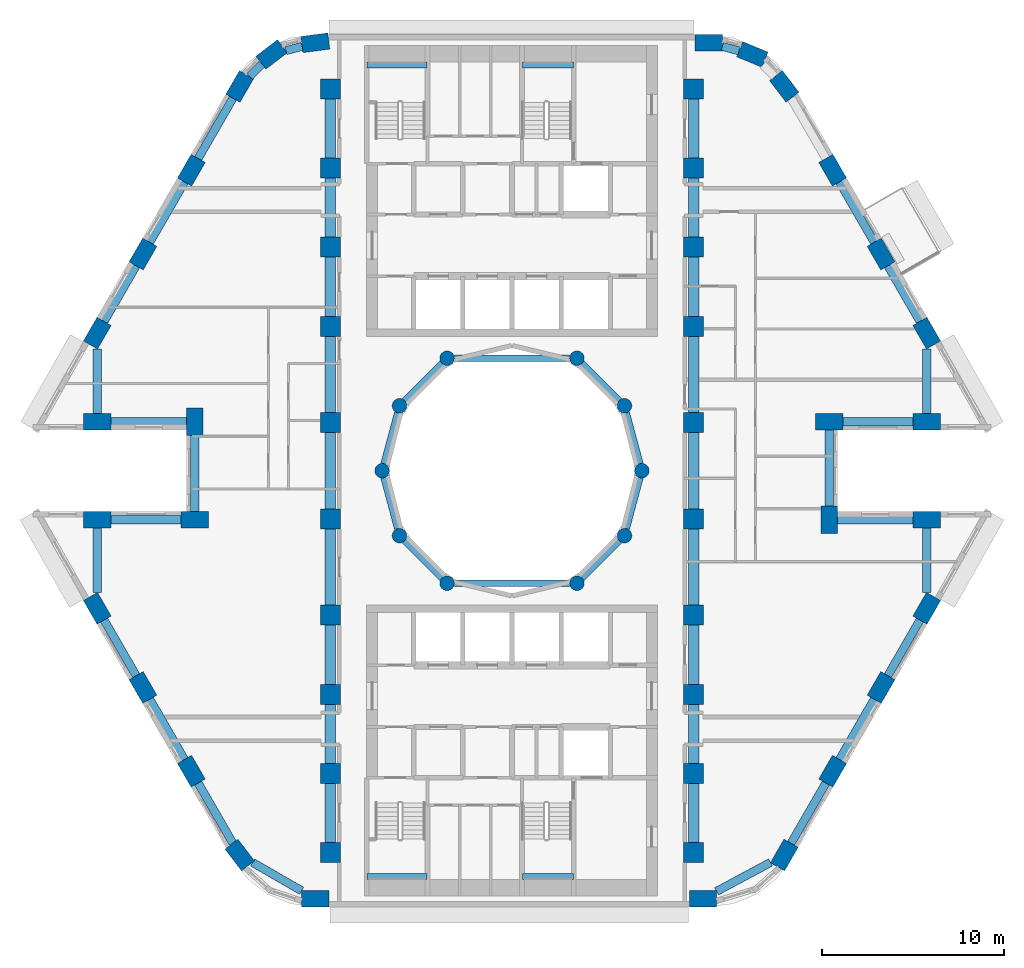
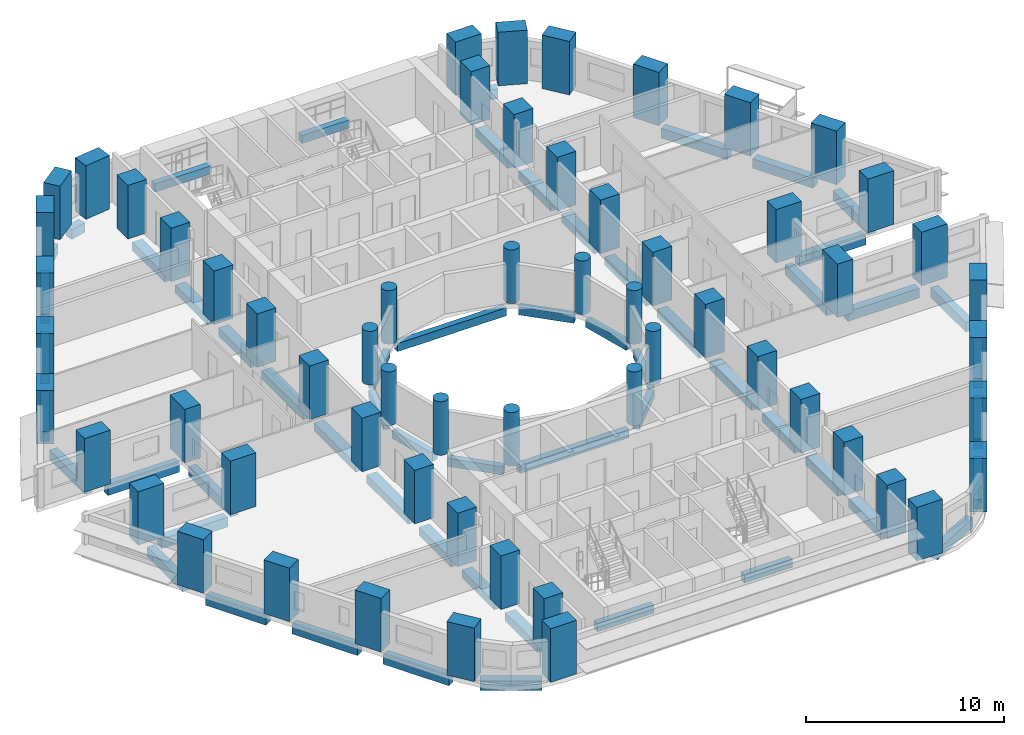
# One storey, part 1 of 13: 60 columns, 58 beams.
"""IFC4 building model written with IfcOpenShell, lengths in metres."""

from ifc_helpers import new_model, si_unit, direction, frame, origin, origin_2d, place, context, subcontext, project, spatial, rectangle, circle, extrude, material, material_profile, profile_set, type_object, element, save


model = new_model("IFC4")

# Units and contexts
model_context = context("Model", 3, precision=1e-05, world=origin(), true_north=direction((0.0, 1.0)))
body_context = subcontext(model_context, "Body", "Model", "MODEL_VIEW")
ifc_project = project(units=[si_unit("LENGTHUNIT", "METRE"), si_unit("AREAUNIT", "SQUARE_METRE"), si_unit("VOLUMEUNIT", "CUBIC_METRE"), si_unit("PLANEANGLEUNIT", "RADIAN"), si_unit("MASSUNIT", "GRAM", prefix="KILO")], contexts=[model_context])

# Site, building, storey
site_placement = place(None, origin())
site = spatial("IfcSite", under=ifc_project, at=site_placement, CompositionType="ELEMENT")
building_placement = place(site_placement, origin())
building = spatial("IfcBuilding", under=site, at=building_placement, Name="Nakaniwa Court", CompositionType="ELEMENT")
storey_placement = place(building_placement, frame((0.0, 0.0, 64.5)))
storey = spatial("IfcBuildingStorey", under=building, at=storey_placement, Name="L17", CompositionType="ELEMENT", Elevation=64.5)

# Columns
ifc_material_1 = material(Name="Concrete C100/115", Category="concrete")
ifc_material_profile_1 = material_profile(ifc_material_1, rectangle(XDim=1.10009765625, YDim=1.10009765625, at=origin_2d()), Name="Concrete C100/115 RC 1100x1100 spine column")
ifc_profile_set_1 = profile_set([ifc_material_profile_1], Name="Concrete C100/115")
column_type_1 = type_object("IfcColumnType", Name="Concrete C100/115 RC 1100x1100 spine column", PredefinedType="COLUMN", material=ifc_profile_set_1)
for number, where, z_axis, x_axis, name in (
    (1, (90.0, 59.0, 0.0), (0.0, 0.0, 1.0), (0.0, 1.0, 0.0), "COLUMN CS-01"),
    (2, (90.0, 63.35009765625, 0.0), (0.0, 0.0, 1.0), (0.0, 1.0, 0.0), "COLUMN CS-02"),
    (3, (90.0, 67.699951171875, 0.0), (0.0, 0.0, 1.0), (0.0, 1.0, 0.0), "COLUMN CS-03"),
    (4, (90.0, 72.050048828125, 0.0), (0.0, 0.0, 1.0), (0.0, 1.0, 0.0), "COLUMN CS-04"),
    (5, (90.0, 77.35009765625, 0.0), (0.0, 0.0, 1.0), (0.0, 1.0, 0.0), "COLUMN CS-05"),
    (6, (90.0, 82.64990234375, 0.0), (0.0, 0.0, 1.0), (0.0, 1.0, 0.0), "COLUMN CS-06"),
    (7, (90.0, 87.949951171875, 0.0), (0.0, 0.0, 1.0), (0.0, 1.0, 0.0), "COLUMN CS-07"),
    (8, (90.0, 92.300048828125, 0.0), (0.0, 0.0, 1.0), (0.0, 1.0, 0.0), "COLUMN CS-08"),
    (9, (90.0, 96.64990234375, 0.0), (0.0, 0.0, 1.0), (0.0, 1.0, 0.0), "COLUMN CS-09"),
    (10, (90.0, 101.0, 0.0), (0.0, 0.0, 1.0), (0.0, 1.0, 0.0), "COLUMN CS-10"),
    (11, (70.0, 101.0, 0.0), (0.0, 0.0, 1.0), (0.0, -1.0, 0.0), "COLUMN CS-11"),
    (12, (70.0, 96.64990234375, 0.0), (0.0, 0.0, 1.0), (0.0, -1.0, 0.0), "COLUMN CS-12"),
    (13, (70.0, 92.300048828125, 0.0), (0.0, 0.0, 1.0), (0.0, -1.0, 0.0), "COLUMN CS-13"),
    (14, (70.0, 87.949951171875, 0.0), (0.0, 0.0, 1.0), (0.0, -1.0, 0.0), "COLUMN CS-14"),
    (15, (70.0, 82.64990234375, 0.0), (0.0, 0.0, 1.0), (0.0, -1.0, 0.0), "COLUMN CS-15"),
    (16, (70.0, 77.35009765625, 0.0), (0.0, 0.0, 1.0), (0.0, -1.0, 0.0), "COLUMN CS-16"),
    (17, (70.0, 72.050048828125, 0.0), (0.0, 0.0, 1.0), (0.0, -1.0, 0.0), "COLUMN CS-17"),
    (18, (70.0, 67.699951171875, 0.0), (0.0, 0.0, 1.0), (0.0, -1.0, 0.0), "COLUMN CS-18"),
    (19, (70.0, 63.35009765625, 0.0), (0.0, 0.0, 1.0), (0.0, -1.0, 0.0), "COLUMN CS-19"),
    (20, (70.0, 59.0, 0.0), (0.0, 0.0, 1.0), (0.0, -1.0, 0.0), "COLUMN CS-20"),
):
    element("IfcColumn", number, at=place(storey_placement, frame(where, z_axis=z_axis, x_axis=x_axis)), inside=storey, type_object=column_type_1, Name=name, PredefinedType="COLUMN", context=body_context, shape_type="SweptSolid", body=[
        extrude(rectangle(XDim=1.10009765625, YDim=1.10009765625, at=origin_2d()), origin(), (0.0, 0.0, 1.0), 3.300048828125),
    ])
ifc_material_profile_2 = material_profile(ifc_material_1, rectangle(XDim=1.5, YDim=0.89990234375, at=origin_2d()), Name="Concrete C100/115 RC 1500x900 perimeter column")
ifc_profile_set_2 = profile_set([ifc_material_profile_2], Name="Concrete C100/115")
column_type_2 = type_object("IfcColumnType", Name="Concrete C100/115 RC 1500x900 perimeter column", PredefinedType="COLUMN", material=ifc_profile_set_2)
for number, where, z_axis, x_axis, name in (
    (21, (69.17529296875, 103.550048828125, 0.0), (0.0, 0.0, 1.0), (-0.991442583111, -0.130543496177, 0.0), "COLUMN CO-01"),
    (22, (66.772705078125, 102.91015625, 0.0), (0.0, 0.0, 1.0), (-0.793363965062, -0.608747582288, 0.0), "COLUMN CO-02"),
    (23, (65.017578125, 101.1494140625, 0.0), (0.0, 0.0, 1.0), (-0.5, -0.866025403784, 0.0), "COLUMN CO-03"),
    (24, (62.3544921875, 96.537109375, 0.0), (0.0, 0.0, 1.0), (-0.5, -0.866025403784, 0.0), "COLUMN CO-04"),
    (25, (59.691650390625, 91.9248046875, 0.0), (0.0, 0.0, 1.0), (-0.5, -0.866025403784, 0.0), "COLUMN CO-05"),
    (26, (57.177001953125, 87.569580078125, 0.0), (0.0, 0.0, 1.0), (-0.5, -0.866025403784, 0.0), "COLUMN CO-06"),
    (27, (57.177001953125, 82.699951171875, 0.0), (0.0, 0.0, 1.0), (1.0, 0.0, 0.0), "COLUMN CO-08"),
    (28, (62.54150390625, 82.699951171875, 0.0), (0.0, 0.0, 1.0), (0.0, -1.0, 0.0), "COLUMN CO-09"),
    (29, (62.54150390625, 77.300048828125, 0.0), (0.0, 0.0, 1.0), (-1.0, 0.0, 0.0), "COLUMN CO-10"),
    (30, (57.177001953125, 77.300048828125, 0.0), (0.0, 0.0, 1.0), (-1.0, 0.0, 0.0), "COLUMN CO-11"),
    (31, (57.177001953125, 72.430419921875, 0.0), (0.0, 0.0, 1.0), (0.5, -0.866025403784, 0.0), "COLUMN CO-13"),
    (32, (59.691650390625, 68.0751953125, 0.0), (0.0, 0.0, 1.0), (0.5, -0.866025403784, 0.0), "COLUMN CO-14"),
    (33, (62.3544921875, 63.462890625, 0.0), (0.0, 0.0, 1.0), (0.5, -0.866025403784, 0.0), "COLUMN CO-15"),
    (34, (65.017578125, 58.8505859375, 0.0), (0.0, 0.0, 1.0), (0.608761429009, -0.793353340291, 0.0), "COLUMN CO-16"),
    (35, (69.17529296875, 56.449951171875, 0.0), (0.0, 0.0, 1.0), (1.0, 0.0, 0.0), "COLUMN CO-17"),
    (36, (90.507080078125, 56.449951171875, 0.0), (0.0, 0.0, 1.0), (1.0, 0.0, 0.0), "COLUMN CO-21"),
    (37, (94.982421875, 58.8505859375, 0.0), (0.0, 0.0, 1.0), (0.5, 0.866025403784, 0.0), "COLUMN CO-22"),
    (38, (97.6455078125, 63.462890625, 0.0), (0.0, 0.0, 1.0), (0.5, 0.866025403784, 0.0), "COLUMN CO-23"),
    (39, (100.308349609375, 68.0751953125, 0.0), (0.0, 0.0, 1.0), (0.5, 0.866025403784, 0.0), "COLUMN CO-24"),
    (40, (102.822998046875, 72.430419921875, 0.0), (0.0, 0.0, 1.0), (0.5, 0.866025403784, 0.0), "COLUMN CO-25"),
    (41, (102.822998046875, 77.300048828125, 0.0), (0.0, 0.0, 1.0), (-1.0, 0.0, 0.0), "COLUMN CO-27"),
    (42, (97.45849609375, 77.300048828125, 0.0), (0.0, 0.0, 1.0), (0.0, 1.0, 0.0), "COLUMN CO-28"),
    (43, (97.45849609375, 82.699951171875, 0.0), (0.0, 0.0, 1.0), (1.0, 0.0, 0.0), "COLUMN CO-29"),
    (44, (102.822998046875, 82.699951171875, 0.0), (0.0, 0.0, 1.0), (1.0, 0.0, 0.0), "COLUMN CO-30"),
    (45, (102.822998046875, 87.569580078125, 0.0), (0.0, 0.0, 1.0), (-0.5, 0.866025403784, 0.0), "COLUMN CO-32"),
    (46, (100.308349609375, 91.9248046875, 0.0), (0.0, 0.0, 1.0), (-0.5, 0.866025403784, 0.0), "COLUMN CO-33"),
    (47, (97.6455078125, 96.537109375, 0.0), (0.0, 0.0, 1.0), (-0.5, 0.866025403784, 0.0), "COLUMN CO-34"),
    (48, (94.982421875, 101.1494140625, 0.0), (0.0, 0.0, 1.0), (-0.608761429009, 0.793353340291, 0.0), "COLUMN CO-35"),
    (49, (93.227294921875, 102.91015625, 0.0), (0.0, 0.0, 1.0), (-0.923879532511, 0.382683432365, 0.0), "COLUMN CO-36"),
    (50, (90.82470703125, 103.550048828125, 0.0), (0.0, 0.0, 1.0), (-1.0, 0.0, 0.0), "COLUMN CO-37"),
):
    element("IfcColumn", number, at=place(storey_placement, frame(where, z_axis=z_axis, x_axis=x_axis)), inside=storey, type_object=column_type_2, Name=name, PredefinedType="COLUMN", context=body_context, shape_type="SweptSolid", body=[
        extrude(rectangle(XDim=1.5, YDim=0.89990234375, at=origin_2d()), origin(), (0.0, 0.0, 1.0), 3.300048828125),
    ])
ifc_material_profile_3 = material_profile(ifc_material_1, circle(Radius=0.39990234375, at=origin_2d()), Name="Concrete C100/115 RC D800 inner ring column")
ifc_profile_set_3 = profile_set([ifc_material_profile_3], Name="Concrete C100/115")
column_type_3 = type_object("IfcColumnType", Name="Concrete C100/115 RC D800 inner ring column", PredefinedType="COLUMN", material=ifc_profile_set_3)
for number, where, z_axis, x_axis, name in (
    (51, (87.14990234375, 80.0, 0.0), (0.0, 0.0, 1.0), (0.0, 1.0, 0.0), "COLUMN CI-01"),
    (52, (86.192138671875, 83.574951171875, 0.0), (0.0, 0.0, 1.0), (-0.5, 0.866025403784, 0.0), "COLUMN CI-02"),
    (53, (83.574951171875, 86.192138671875, 0.0), (0.0, 0.0, 1.0), (-0.866025403784, 0.5, 0.0), "COLUMN CI-03"),
    (54, (76.425048828125, 86.192138671875, 0.0), (0.0, 0.0, 1.0), (-0.866025403784, -0.5, 0.0), "COLUMN CI-05"),
    (55, (73.807861328125, 83.574951171875, 0.0), (0.0, 0.0, 1.0), (-0.5, -0.866025403784, 0.0), "COLUMN CI-06"),
    (56, (72.85009765625, 80.0, 0.0), (0.0, 0.0, 1.0), (0.0, -1.0, 0.0), "COLUMN CI-07"),
    (57, (73.807861328125, 76.425048828125, 0.0), (0.0, 0.0, 1.0), (0.5, -0.866025403784, 0.0), "COLUMN CI-08"),
    (58, (76.425048828125, 73.807861328125, 0.0), (0.0, 0.0, 1.0), (0.866025403784, -0.5, 0.0), "COLUMN CI-09"),
    (59, (83.574951171875, 73.807861328125, 0.0), (0.0, 0.0, 1.0), (0.866025403784, 0.5, 0.0), "COLUMN CI-11"),
    (60, (86.192138671875, 76.425048828125, 0.0), (0.0, 0.0, 1.0), (0.5, 0.866025403784, 0.0), "COLUMN CI-12"),
):
    element("IfcColumn", number, at=place(storey_placement, frame(where, z_axis=z_axis, x_axis=x_axis)), inside=storey, type_object=column_type_3, Name=name, PredefinedType="COLUMN", context=body_context, shape_type="SweptSolid", body=[
        extrude(circle(Radius=0.39990234375, at=origin_2d()), origin(), (0.0, 0.0, 1.0), 3.300048828125),
    ])

# Beams
ifc_material_profile_4 = material_profile(ifc_material_1, rectangle(XDim=0.35009765625, YDim=0.5, at=origin_2d()), Name="Concrete C100/115 RC 350x500 ring beam")
ifc_profile_set_4 = profile_set([ifc_material_profile_4], Name="Concrete C100/115")
beam_type_1 = type_object("IfcBeamType", Name="Concrete C100/115 RC 350x500 ring beam", PredefinedType="BEAM", material=ifc_profile_set_4)
beam_1_placement = place(storey_placement, frame((87.04638671875, 80.386474609375, -0.52490234375), z_axis=(-0.258778150207, 0.965936783115, 0.0), x_axis=(-0.965936783115, -0.258778150207, 0.0)))
element("IfcBeam", 61, at=beam_1_placement, inside=storey, type_object=beam_type_1, Name="RING BEAM", PredefinedType="BEAM", context=body_context, shape_type="SweptSolid", body=[
    extrude(rectangle(XDim=0.35009765625, YDim=0.5, at=origin_2d()), origin(), (0.0, 0.0, 1.0), 2.901123046875),
])
beam_2_placement = place(storey_placement, frame((85.9091796875, 83.85791015625, -0.52490234375), z_axis=(-0.707106781187, 0.707106781187, 0.0), x_axis=(-0.707106781187, -0.707106781187, 0.0)))
element("IfcBeam", 62, at=beam_2_placement, inside=storey, type_object=beam_type_1, Name="RING BEAM", PredefinedType="BEAM", context=body_context, shape_type="SweptSolid", body=[
    extrude(rectangle(XDim=0.35009765625, YDim=0.5, at=origin_2d()), origin(), (0.0, 0.0, 1.0), 2.90087890625),
])
beam_3_placement = place(storey_placement, frame((83.175048828125, 86.192138671875, -0.52490234375), z_axis=(-1.0, 0.0, 0.0), x_axis=(0.0, -1.0, 0.0)))
element("IfcBeam", 63, at=beam_3_placement, inside=storey, type_object=beam_type_1, Name="RING BEAM", PredefinedType="BEAM", context=body_context, shape_type="SweptSolid", body=[
    extrude(rectangle(XDim=0.35009765625, YDim=0.5, at=origin_2d()), origin(), (0.0, 0.0, 1.0), 6.35009765625),
])
beam_4_placement = place(storey_placement, frame((76.14208984375, 85.9091796875, -0.52490234375), z_axis=(-0.707106781187, -0.707106781187, 0.0), x_axis=(0.707106781187, -0.707106781187, 0.0)))
element("IfcBeam", 64, at=beam_4_placement, inside=storey, type_object=beam_type_1, Name="RING BEAM", PredefinedType="BEAM", context=body_context, shape_type="SweptSolid", body=[
    extrude(rectangle(XDim=0.35009765625, YDim=0.5, at=origin_2d()), origin(), (0.0, 0.0, 1.0), 2.90087890625),
])
for number, where, z_axis, x_axis, name in (
    (65, (73.704345703125, 83.188720703125, -0.52490234375), (-0.258778150207, -0.965936783115, 0.0), (0.965936783115, -0.258778150207, 0.0), "RING BEAM"),
    (66, (72.95361328125, 79.613525390625, -0.52490234375), (0.258778150207, -0.965936783115, 0.0), (0.965936783115, 0.258778150207, 0.0), "RING BEAM"),
):
    element("IfcBeam", number, at=place(storey_placement, frame(where, z_axis=z_axis, x_axis=x_axis)), inside=storey, type_object=beam_type_1, Name=name, PredefinedType="BEAM", context=body_context, shape_type="SweptSolid", body=[
        extrude(rectangle(XDim=0.35009765625, YDim=0.5, at=origin_2d()), origin(), (0.0, 0.0, 1.0), 2.901123046875),
    ])
beam_5_placement = place(storey_placement, frame((74.0908203125, 76.14208984375, -0.52490234375), z_axis=(0.707106781187, -0.707106781187, 0.0), x_axis=(0.707106781187, 0.707106781187, 0.0)))
element("IfcBeam", 67, at=beam_5_placement, inside=storey, type_object=beam_type_1, Name="RING BEAM", PredefinedType="BEAM", context=body_context, shape_type="SweptSolid", body=[
    extrude(rectangle(XDim=0.35009765625, YDim=0.5, at=origin_2d()), origin(), (0.0, 0.0, 1.0), 2.90087890625),
])
beam_6_placement = place(storey_placement, frame((76.824951171875, 73.807861328125, -0.52490234375), z_axis=(1.0, 0.0, 0.0), x_axis=(0.0, 1.0, 0.0)))
element("IfcBeam", 68, at=beam_6_placement, inside=storey, type_object=beam_type_1, Name="RING BEAM", PredefinedType="BEAM", context=body_context, shape_type="SweptSolid", body=[
    extrude(rectangle(XDim=0.35009765625, YDim=0.5, at=origin_2d()), origin(), (0.0, 0.0, 1.0), 6.35009765625),
])
beam_7_placement = place(storey_placement, frame((83.85791015625, 74.0908203125, -0.52490234375), z_axis=(0.707106781187, 0.707106781187, 0.0), x_axis=(-0.707106781187, 0.707106781187, 0.0)))
element("IfcBeam", 69, at=beam_7_placement, inside=storey, type_object=beam_type_1, Name="RING BEAM", PredefinedType="BEAM", context=body_context, shape_type="SweptSolid", body=[
    extrude(rectangle(XDim=0.35009765625, YDim=0.5, at=origin_2d()), origin(), (0.0, 0.0, 1.0), 2.90087890625),
])
beam_8_placement = place(storey_placement, frame((86.295654296875, 76.811279296875, -0.52490234375), z_axis=(0.258778150207, 0.965936783115, 0.0), x_axis=(-0.965936783115, 0.258778150207, 0.0)))
element("IfcBeam", 70, at=beam_8_placement, inside=storey, type_object=beam_type_1, Name="RING BEAM", PredefinedType="BEAM", context=body_context, shape_type="SweptSolid", body=[
    extrude(rectangle(XDim=0.35009765625, YDim=0.5, at=origin_2d()), origin(), (0.0, 0.0, 1.0), 2.901123046875),
])
ifc_material_profile_5 = material_profile(ifc_material_1, rectangle(XDim=0.449951171875, YDim=0.60009765625, at=origin_2d()), Name="Concrete C100/115 RC 450x600 spandrel beam")
ifc_profile_set_5 = profile_set([ifc_material_profile_5], Name="Concrete C100/115")
beam_type_2 = type_object("IfcBeamType", Name="Concrete C100/115 RC 450x600 spandrel beam", PredefinedType="BEAM", material=ifc_profile_set_5)
beam_9_placement = place(storey_placement, frame((68.444580078125, 103.35546875, -0.574951171875), z_axis=(-0.966287893493, -0.25746399144, 0.0), x_axis=(0.25746399144, -0.966287893493, 0.0)))
element("IfcBeam", 71, at=beam_9_placement, inside=storey, type_object=beam_type_2, Name="SPANDREL BEAM", PredefinedType="BEAM", context=body_context, shape_type="SweptSolid", body=[
    extrude(rectangle(XDim=0.449951171875, YDim=0.60009765625, at=origin_2d()), origin(), (0.0, 0.0, 1.0), 0.91796875),
])
beam_10_placement = place(storey_placement, frame((66.238525390625, 102.374267578125, -0.574951171875), z_axis=(-0.706081618928, -0.708130459317, 0.0), x_axis=(0.708130459317, -0.706081618928, 0.0)))
element("IfcBeam", 72, at=beam_10_placement, inside=storey, type_object=beam_type_2, Name="SPANDREL BEAM", PredefinedType="BEAM", context=body_context, shape_type="SweptSolid", body=[
    extrude(rectangle(XDim=0.449951171875, YDim=0.60009765625, at=origin_2d()), origin(), (0.0, 0.0, 1.0), 0.953369140625),
])
beam_11_placement = place(storey_placement, frame((64.642578125, 100.5, -0.574951171875), z_axis=(-0.500009674092, -0.866019818373, 0.0), x_axis=(0.866019818373, -0.500009674092, 0.0)))
element("IfcBeam", 73, at=beam_11_placement, inside=storey, type_object=beam_type_2, Name="SPANDREL BEAM", PredefinedType="BEAM", context=body_context, shape_type="SweptSolid", body=[
    extrude(rectangle(XDim=0.449951171875, YDim=0.60009765625, at=origin_2d()), origin(), (0.0, 0.0, 1.0), 3.826171875),
])
beam_12_placement = place(storey_placement, frame((61.9794921875, 95.8876953125, -0.574951171875), z_axis=(-0.499961815444, -0.866047448526, 0.0), x_axis=(0.866047448526, -0.499961815444, 0.0)))
element("IfcBeam", 74, at=beam_12_placement, inside=storey, type_object=beam_type_2, Name="SPANDREL BEAM", PredefinedType="BEAM", context=body_context, shape_type="SweptSolid", body=[
    extrude(rectangle(XDim=0.449951171875, YDim=0.60009765625, at=origin_2d()), origin(), (0.0, 0.0, 1.0), 3.825927734375),
])
beam_13_placement = place(storey_placement, frame((59.316650390625, 91.275146484375, -0.574951171875), z_axis=(-0.500067800301, -0.865986255723, 0.0), x_axis=(0.865986255723, -0.500067800301, 0.0)))
element("IfcBeam", 75, at=beam_13_placement, inside=storey, type_object=beam_type_2, Name="SPANDREL BEAM", PredefinedType="BEAM", context=body_context, shape_type="SweptSolid", body=[
    extrude(rectangle(XDim=0.449951171875, YDim=0.60009765625, at=origin_2d()), origin(), (0.0, 0.0, 1.0), 3.52880859375),
])
beam_14_placement = place(storey_placement, frame((57.177001953125, 86.70361328125, -0.574951171875), z_axis=(0.0, -1.0, 0.0), x_axis=(1.0, 0.0, 0.0)))
element("IfcBeam", 76, at=beam_14_placement, inside=storey, type_object=beam_type_2, Name="SPANDREL BEAM", PredefinedType="BEAM", context=body_context, shape_type="SweptSolid", body=[
    extrude(rectangle(XDim=0.449951171875, YDim=0.60009765625, at=origin_2d()), origin(), (0.0, 0.0, 1.0), 3.5537109375),
])
beam_15_placement = place(storey_placement, frame((57.927001953125, 82.699951171875, -0.574951171875), z_axis=(1.0, 0.0, 0.0), x_axis=(0.0, 1.0, 0.0)))
element("IfcBeam", 77, at=beam_15_placement, inside=storey, type_object=beam_type_2, Name="SPANDREL BEAM", PredefinedType="BEAM", context=body_context, shape_type="SweptSolid", body=[
    extrude(rectangle(XDim=0.449951171875, YDim=0.60009765625, at=origin_2d()), origin(), (0.0, 0.0, 1.0), 4.16455078125),
])
beam_16_placement = place(storey_placement, frame((62.54150390625, 81.949951171875, -0.574951171875), z_axis=(0.0, -1.0, 0.0), x_axis=(1.0, 0.0, 0.0)))
element("IfcBeam", 78, at=beam_16_placement, inside=storey, type_object=beam_type_2, Name="SPANDREL BEAM", PredefinedType="BEAM", context=body_context, shape_type="SweptSolid", body=[
    extrude(rectangle(XDim=0.449951171875, YDim=0.60009765625, at=origin_2d()), origin(), (0.0, 0.0, 1.0), 4.199951171875),
])
beam_17_placement = place(storey_placement, frame((61.79150390625, 77.300048828125, -0.574951171875), z_axis=(-1.0, 0.0, 0.0), x_axis=(0.0, -1.0, 0.0)))
element("IfcBeam", 79, at=beam_17_placement, inside=storey, type_object=beam_type_2, Name="SPANDREL BEAM", PredefinedType="BEAM", context=body_context, shape_type="SweptSolid", body=[
    extrude(rectangle(XDim=0.449951171875, YDim=0.60009765625, at=origin_2d()), origin(), (0.0, 0.0, 1.0), 3.864501953125),
])
beam_18_placement = place(storey_placement, frame((57.177001953125, 76.85009765625, -0.574951171875), z_axis=(0.0, -1.0, 0.0), x_axis=(1.0, 0.0, 0.0)))
element("IfcBeam", 80, at=beam_18_placement, inside=storey, type_object=beam_type_2, Name="SPANDREL BEAM", PredefinedType="BEAM", context=body_context, shape_type="SweptSolid", body=[
    extrude(rectangle(XDim=0.449951171875, YDim=0.60009765625, at=origin_2d()), origin(), (0.0, 0.0, 1.0), 3.5537109375),
])
beam_19_placement = place(storey_placement, frame((57.552001953125, 71.78076171875, -0.574951171875), z_axis=(0.500067800301, -0.865986255723, 0.0), x_axis=(0.865986255723, 0.500067800301, 0.0)))
element("IfcBeam", 81, at=beam_19_placement, inside=storey, type_object=beam_type_2, Name="SPANDREL BEAM", PredefinedType="BEAM", context=body_context, shape_type="SweptSolid", body=[
    extrude(rectangle(XDim=0.449951171875, YDim=0.60009765625, at=origin_2d()), origin(), (0.0, 0.0, 1.0), 3.52880859375),
])
beam_20_placement = place(storey_placement, frame((60.066650390625, 67.42578125, -0.574951171875), z_axis=(0.499961815444, -0.866047448526, 0.0), x_axis=(0.866047448526, 0.499961815444, 0.0)))
element("IfcBeam", 82, at=beam_20_placement, inside=storey, type_object=beam_type_2, Name="SPANDREL BEAM", PredefinedType="BEAM", context=body_context, shape_type="SweptSolid", body=[
    extrude(rectangle(XDim=0.449951171875, YDim=0.60009765625, at=origin_2d()), origin(), (0.0, 0.0, 1.0), 3.825927734375),
])
beam_21_placement = place(storey_placement, frame((62.7294921875, 62.8134765625, -0.574951171875), z_axis=(0.500023067617, -0.86601208528, 0.0), x_axis=(0.86601208528, 0.500023067617, 0.0)))
element("IfcBeam", 83, at=beam_21_placement, inside=storey, type_object=beam_type_2, Name="SPANDREL BEAM", PredefinedType="BEAM", context=body_context, shape_type="SweptSolid", body=[
    extrude(rectangle(XDim=0.449951171875, YDim=0.60009765625, at=origin_2d()), origin(), (0.0, 0.0, 1.0), 3.819580078125),
])
beam_22_placement = place(storey_placement, frame((65.720458984375, 58.444580078125, -0.574951171875), z_axis=(0.866041096587, -0.499972818284, 0.0), x_axis=(0.499972818284, 0.866041096587, 0.0)))
element("IfcBeam", 84, at=beam_22_placement, inside=storey, type_object=beam_type_2, Name="SPANDREL BEAM", PredefinedType="BEAM", context=body_context, shape_type="SweptSolid", body=[
    extrude(rectangle(XDim=0.449951171875, YDim=0.60009765625, at=origin_2d()), origin(), (0.0, 0.0, 1.0), 3.123291015625),
])
beam_23_placement = place(storey_placement, frame((91.257080078125, 56.852294921875, -0.574951171875), z_axis=(0.881234537383, 0.472679267711, 0.0), x_axis=(-0.472679267711, 0.881234537383, 0.0)))
element("IfcBeam", 85, at=beam_23_placement, inside=storey, type_object=beam_type_2, Name="SPANDREL BEAM", PredefinedType="BEAM", context=body_context, shape_type="SweptSolid", body=[
    extrude(rectangle(XDim=0.449951171875, YDim=0.60009765625, at=origin_2d()), origin(), (0.0, 0.0, 1.0), 3.373291015625),
])
beam_24_placement = place(storey_placement, frame((95.357421875, 59.5, -0.574951171875), z_axis=(0.500009674092, 0.866019818373, 0.0), x_axis=(-0.866019818373, 0.500009674092, 0.0)))
element("IfcBeam", 86, at=beam_24_placement, inside=storey, type_object=beam_type_2, Name="SPANDREL BEAM", PredefinedType="BEAM", context=body_context, shape_type="SweptSolid", body=[
    extrude(rectangle(XDim=0.449951171875, YDim=0.60009765625, at=origin_2d()), origin(), (0.0, 0.0, 1.0), 3.826171875),
])
beam_25_placement = place(storey_placement, frame((98.0205078125, 64.1123046875, -0.574951171875), z_axis=(0.499961815444, 0.866047448526, 0.0), x_axis=(-0.866047448526, 0.499961815444, 0.0)))
element("IfcBeam", 87, at=beam_25_placement, inside=storey, type_object=beam_type_2, Name="SPANDREL BEAM", PredefinedType="BEAM", context=body_context, shape_type="SweptSolid", body=[
    extrude(rectangle(XDim=0.449951171875, YDim=0.60009765625, at=origin_2d()), origin(), (0.0, 0.0, 1.0), 3.825927734375),
])
beam_26_placement = place(storey_placement, frame((100.683349609375, 68.724853515625, -0.574951171875), z_axis=(0.500067800301, 0.865986255723, 0.0), x_axis=(-0.865986255723, 0.500067800301, 0.0)))
element("IfcBeam", 88, at=beam_26_placement, inside=storey, type_object=beam_type_2, Name="SPANDREL BEAM", PredefinedType="BEAM", context=body_context, shape_type="SweptSolid", body=[
    extrude(rectangle(XDim=0.449951171875, YDim=0.60009765625, at=origin_2d()), origin(), (0.0, 0.0, 1.0), 3.52880859375),
])
beam_27_placement = place(storey_placement, frame((102.822998046875, 73.29638671875, -0.574951171875), z_axis=(0.0, 1.0, 0.0), x_axis=(-1.0, 0.0, 0.0)))
element("IfcBeam", 89, at=beam_27_placement, inside=storey, type_object=beam_type_2, Name="SPANDREL BEAM", PredefinedType="BEAM", context=body_context, shape_type="SweptSolid", body=[
    extrude(rectangle(XDim=0.449951171875, YDim=0.60009765625, at=origin_2d()), origin(), (0.0, 0.0, 1.0), 3.5537109375),
])
beam_28_placement = place(storey_placement, frame((102.072998046875, 77.300048828125, -0.574951171875), z_axis=(-1.0, 0.0, 0.0), x_axis=(0.0, -1.0, 0.0)))
element("IfcBeam", 90, at=beam_28_placement, inside=storey, type_object=beam_type_2, Name="SPANDREL BEAM", PredefinedType="BEAM", context=body_context, shape_type="SweptSolid", body=[
    extrude(rectangle(XDim=0.449951171875, YDim=0.60009765625, at=origin_2d()), origin(), (0.0, 0.0, 1.0), 4.16455078125),
])
beam_29_placement = place(storey_placement, frame((97.45849609375, 78.050048828125, -0.574951171875), z_axis=(0.0, 1.0, 0.0), x_axis=(-1.0, 0.0, 0.0)))
element("IfcBeam", 91, at=beam_29_placement, inside=storey, type_object=beam_type_2, Name="SPANDREL BEAM", PredefinedType="BEAM", context=body_context, shape_type="SweptSolid", body=[
    extrude(rectangle(XDim=0.449951171875, YDim=0.60009765625, at=origin_2d()), origin(), (0.0, 0.0, 1.0), 4.199951171875),
])
beam_30_placement = place(storey_placement, frame((98.20849609375, 82.699951171875, -0.574951171875), z_axis=(1.0, 0.0, 0.0), x_axis=(0.0, 1.0, 0.0)))
element("IfcBeam", 92, at=beam_30_placement, inside=storey, type_object=beam_type_2, Name="SPANDREL BEAM", PredefinedType="BEAM", context=body_context, shape_type="SweptSolid", body=[
    extrude(rectangle(XDim=0.449951171875, YDim=0.60009765625, at=origin_2d()), origin(), (0.0, 0.0, 1.0), 3.864501953125),
])
beam_31_placement = place(storey_placement, frame((102.822998046875, 83.14990234375, -0.574951171875), z_axis=(0.0, 1.0, 0.0), x_axis=(-1.0, 0.0, 0.0)))
element("IfcBeam", 93, at=beam_31_placement, inside=storey, type_object=beam_type_2, Name="SPANDREL BEAM", PredefinedType="BEAM", context=body_context, shape_type="SweptSolid", body=[
    extrude(rectangle(XDim=0.449951171875, YDim=0.60009765625, at=origin_2d()), origin(), (0.0, 0.0, 1.0), 3.5537109375),
])
beam_32_placement = place(storey_placement, frame((102.447998046875, 88.21923828125, -0.574951171875), z_axis=(-0.500067800301, 0.865986255723, 0.0), x_axis=(-0.865986255723, -0.500067800301, 0.0)))
element("IfcBeam", 94, at=beam_32_placement, inside=storey, type_object=beam_type_2, Name="SPANDREL BEAM", PredefinedType="BEAM", context=body_context, shape_type="SweptSolid", body=[
    extrude(rectangle(XDim=0.449951171875, YDim=0.60009765625, at=origin_2d()), origin(), (0.0, 0.0, 1.0), 3.52880859375),
])
beam_33_placement = place(storey_placement, frame((99.933349609375, 92.57421875, -0.574951171875), z_axis=(-0.499961815444, 0.866047448526, 0.0), x_axis=(-0.866047448526, -0.499961815444, 0.0)))
element("IfcBeam", 95, at=beam_33_placement, inside=storey, type_object=beam_type_2, Name="SPANDREL BEAM", PredefinedType="BEAM", context=body_context, shape_type="SweptSolid", body=[
    extrude(rectangle(XDim=0.449951171875, YDim=0.60009765625, at=origin_2d()), origin(), (0.0, 0.0, 1.0), 3.825927734375),
])
beam_34_placement = place(storey_placement, frame((92.49609375, 103.10498046875, -0.574951171875), z_axis=(-0.966324126494, 0.257327966912, 0.0), x_axis=(-0.257327966912, -0.966324126494, 0.0)))
element("IfcBeam", 96, at=beam_34_placement, inside=storey, type_object=beam_type_2, Name="SPANDREL BEAM", PredefinedType="BEAM", context=body_context, shape_type="SweptSolid", body=[
    extrude(rectangle(XDim=0.449951171875, YDim=0.60009765625, at=origin_2d()), origin(), (0.0, 0.0, 1.0), 0.95361328125),
])
ifc_material_profile_6 = material_profile(ifc_material_1, rectangle(XDim=0.60009765625, YDim=0.5, at=origin_2d()), Name="Concrete C100/115 RC 600x500 ring beam")
ifc_profile_set_6 = profile_set([ifc_material_profile_6], Name="Concrete C100/115")
beam_type_3 = type_object("IfcBeamType", Name="Concrete C100/115 RC 600x500 ring beam", PredefinedType="BEAM", material=ifc_profile_set_6)
for number, where, z_axis, x_axis, name in (
    (97, (90.0, 59.550048828125, -0.52490234375), (0.0, 1.0, 0.0), (-1.0, 0.0, 0.0), "RING BEAM"),
    (98, (90.0, 63.89990234375, -0.52490234375), (0.0, 1.0, 0.0), (-1.0, 0.0, 0.0), "RING BEAM"),
    (99, (90.0, 68.25, -0.52490234375), (0.0, 1.0, 0.0), (-1.0, 0.0, 0.0), "RING BEAM"),
):
    element("IfcBeam", number, at=place(storey_placement, frame(where, z_axis=z_axis, x_axis=x_axis)), inside=storey, type_object=beam_type_3, Name=name, PredefinedType="BEAM", context=body_context, shape_type="SweptSolid", body=[
        extrude(rectangle(XDim=0.60009765625, YDim=0.5, at=origin_2d()), origin(), (0.0, 0.0, 1.0), 3.25),
    ])
beam_35_placement = place(storey_placement, frame((90.0, 72.60009765625, -0.52490234375), z_axis=(0.0, 1.0, 0.0), x_axis=(-1.0, 0.0, 0.0)))
element("IfcBeam", 100, at=beam_35_placement, inside=storey, type_object=beam_type_3, Name="RING BEAM", PredefinedType="BEAM", context=body_context, shape_type="SweptSolid", body=[
    extrude(rectangle(XDim=0.60009765625, YDim=0.5, at=origin_2d()), origin(), (0.0, 0.0, 1.0), 4.199951171875),
])
beam_36_placement = place(storey_placement, frame((90.0, 77.89990234375, -0.52490234375), z_axis=(0.0, 1.0, 0.0), x_axis=(-1.0, 0.0, 0.0)))
element("IfcBeam", 101, at=beam_36_placement, inside=storey, type_object=beam_type_3, Name="RING BEAM", PredefinedType="BEAM", context=body_context, shape_type="SweptSolid", body=[
    extrude(rectangle(XDim=0.60009765625, YDim=0.5, at=origin_2d()), origin(), (0.0, 0.0, 1.0), 4.2001953125),
])
beam_37_placement = place(storey_placement, frame((90.0, 83.199951171875, -0.52490234375), z_axis=(0.0, 1.0, 0.0), x_axis=(-1.0, 0.0, 0.0)))
element("IfcBeam", 102, at=beam_37_placement, inside=storey, type_object=beam_type_3, Name="RING BEAM", PredefinedType="BEAM", context=body_context, shape_type="SweptSolid", body=[
    extrude(rectangle(XDim=0.60009765625, YDim=0.5, at=origin_2d()), origin(), (0.0, 0.0, 1.0), 4.199951171875),
])
for number, where, z_axis, x_axis, name in (
    (103, (90.0, 88.5, -0.52490234375), (0.0, 1.0, 0.0), (-1.0, 0.0, 0.0), "RING BEAM"),
    (104, (90.0, 92.85009765625, -0.52490234375), (0.0, 1.0, 0.0), (-1.0, 0.0, 0.0), "RING BEAM"),
    (105, (90.0, 97.199951171875, -0.52490234375), (0.0, 1.0, 0.0), (-1.0, 0.0, 0.0), "RING BEAM"),
    (106, (70.0, 100.449951171875, -0.52490234375), (0.0, -1.0, 0.0), (1.0, 0.0, 0.0), "RING BEAM"),
    (107, (70.0, 96.10009765625, -0.52490234375), (0.0, -1.0, 0.0), (1.0, 0.0, 0.0), "RING BEAM"),
    (108, (70.0, 91.75, -0.52490234375), (0.0, -1.0, 0.0), (1.0, 0.0, 0.0), "RING BEAM"),
):
    element("IfcBeam", number, at=place(storey_placement, frame(where, z_axis=z_axis, x_axis=x_axis)), inside=storey, type_object=beam_type_3, Name=name, PredefinedType="BEAM", context=body_context, shape_type="SweptSolid", body=[
        extrude(rectangle(XDim=0.60009765625, YDim=0.5, at=origin_2d()), origin(), (0.0, 0.0, 1.0), 3.25),
    ])
beam_38_placement = place(storey_placement, frame((70.0, 87.39990234375, -0.52490234375), z_axis=(0.0, -1.0, 0.0), x_axis=(1.0, 0.0, 0.0)))
element("IfcBeam", 109, at=beam_38_placement, inside=storey, type_object=beam_type_3, Name="RING BEAM", PredefinedType="BEAM", context=body_context, shape_type="SweptSolid", body=[
    extrude(rectangle(XDim=0.60009765625, YDim=0.5, at=origin_2d()), origin(), (0.0, 0.0, 1.0), 4.199951171875),
])
beam_39_placement = place(storey_placement, frame((70.0, 82.10009765625, -0.52490234375), z_axis=(0.0, -1.0, 0.0), x_axis=(1.0, 0.0, 0.0)))
element("IfcBeam", 110, at=beam_39_placement, inside=storey, type_object=beam_type_3, Name="RING BEAM", PredefinedType="BEAM", context=body_context, shape_type="SweptSolid", body=[
    extrude(rectangle(XDim=0.60009765625, YDim=0.5, at=origin_2d()), origin(), (0.0, 0.0, 1.0), 4.2001953125),
])
beam_40_placement = place(storey_placement, frame((70.0, 76.800048828125, -0.52490234375), z_axis=(0.0, -1.0, 0.0), x_axis=(1.0, 0.0, 0.0)))
element("IfcBeam", 111, at=beam_40_placement, inside=storey, type_object=beam_type_3, Name="RING BEAM", PredefinedType="BEAM", context=body_context, shape_type="SweptSolid", body=[
    extrude(rectangle(XDim=0.60009765625, YDim=0.5, at=origin_2d()), origin(), (0.0, 0.0, 1.0), 4.199951171875),
])
for number, where, z_axis, x_axis, name in (
    (112, (70.0, 71.5, -0.52490234375), (0.0, -1.0, 0.0), (1.0, 0.0, 0.0), "RING BEAM"),
    (113, (70.0, 67.14990234375, -0.52490234375), (0.0, -1.0, 0.0), (1.0, 0.0, 0.0), "RING BEAM"),
    (114, (70.0, 62.800048828125, -0.52490234375), (0.0, -1.0, 0.0), (1.0, 0.0, 0.0), "RING BEAM"),
):
    element("IfcBeam", number, at=place(storey_placement, frame(where, z_axis=z_axis, x_axis=x_axis)), inside=storey, type_object=beam_type_3, Name=name, PredefinedType="BEAM", context=body_context, shape_type="SweptSolid", body=[
        extrude(rectangle(XDim=0.60009765625, YDim=0.5, at=origin_2d()), origin(), (0.0, 0.0, 1.0), 3.25),
    ])
ifc_material_2 = material(Name="Concrete C80/100", Category="concrete")
ifc_material_profile_7 = material_profile(ifc_material_2, rectangle(XDim=0.35009765625, YDim=0.5, at=origin_2d()), Name="Concrete C80/100 RC 350x500 landing ledge beam")
ifc_profile_set_7 = profile_set([ifc_material_profile_7], Name="Concrete C80/100")
beam_type_4 = type_object("IfcBeamType", Name="Concrete C80/100 RC 350x500 landing ledge beam", PredefinedType="BEAM", material=ifc_profile_set_7)
beam_41_placement = place(storey_placement, frame((72.02490234375, 102.324951171875, 1.199951171875), z_axis=(1.0, 0.0, 0.0), x_axis=(0.0, 1.0, 0.0)))
element("IfcBeam", 115, at=beam_41_placement, inside=storey, type_object=beam_type_4, Name="LANDING LEDGE BEAM", PredefinedType="BEAM", context=body_context, shape_type="SweptSolid", body=[
    extrude(rectangle(XDim=0.35009765625, YDim=0.5, at=origin_2d()), origin(), (0.0, 0.0, 1.0), 3.300048828125),
])
beam_42_placement = place(storey_placement, frame((80.574951171875, 102.324951171875, 1.199951171875), z_axis=(1.0, 0.0, 0.0), x_axis=(0.0, 1.0, 0.0)))
element("IfcBeam", 116, at=beam_42_placement, inside=storey, type_object=beam_type_4, Name="LANDING LEDGE BEAM", PredefinedType="BEAM", context=body_context, shape_type="SweptSolid", body=[
    extrude(rectangle(XDim=0.35009765625, YDim=0.5, at=origin_2d()), origin(), (0.0, 0.0, 1.0), 2.800048828125),
])
beam_43_placement = place(storey_placement, frame((72.02490234375, 57.675048828125, 1.199951171875), z_axis=(1.0, 0.0, 0.0), x_axis=(0.0, 1.0, 0.0)))
element("IfcBeam", 117, at=beam_43_placement, inside=storey, type_object=beam_type_4, Name="LANDING LEDGE BEAM", PredefinedType="BEAM", context=body_context, shape_type="SweptSolid", body=[
    extrude(rectangle(XDim=0.35009765625, YDim=0.5, at=origin_2d()), origin(), (0.0, 0.0, 1.0), 3.300048828125),
])
beam_44_placement = place(storey_placement, frame((80.574951171875, 57.675048828125, 1.199951171875), z_axis=(1.0, 0.0, 0.0), x_axis=(0.0, 1.0, 0.0)))
element("IfcBeam", 118, at=beam_44_placement, inside=storey, type_object=beam_type_4, Name="LANDING LEDGE BEAM", PredefinedType="BEAM", context=body_context, shape_type="SweptSolid", body=[
    extrude(rectangle(XDim=0.35009765625, YDim=0.5, at=origin_2d()), origin(), (0.0, 0.0, 1.0), 2.800048828125),
])

save(model, "model.ifc")
